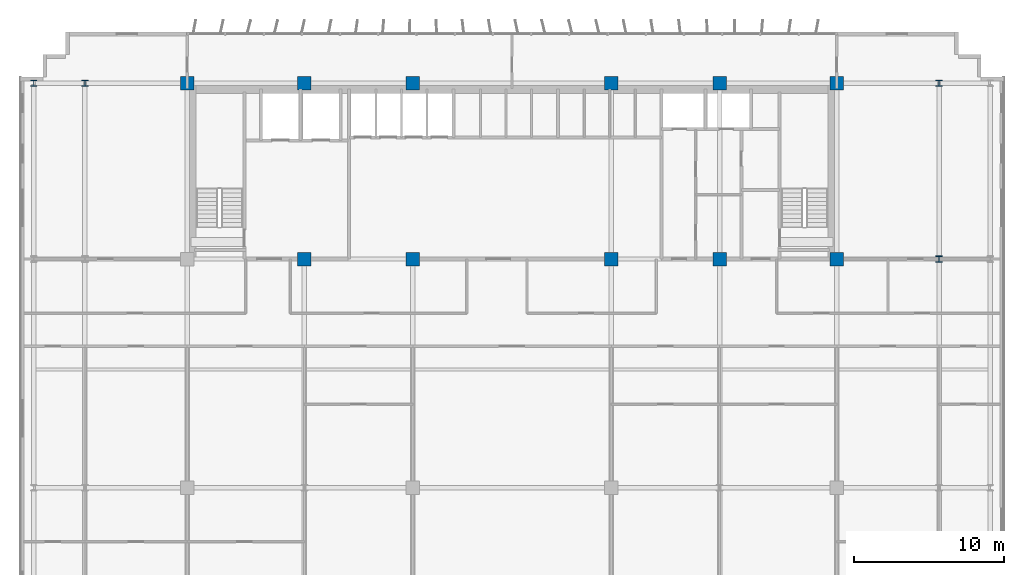
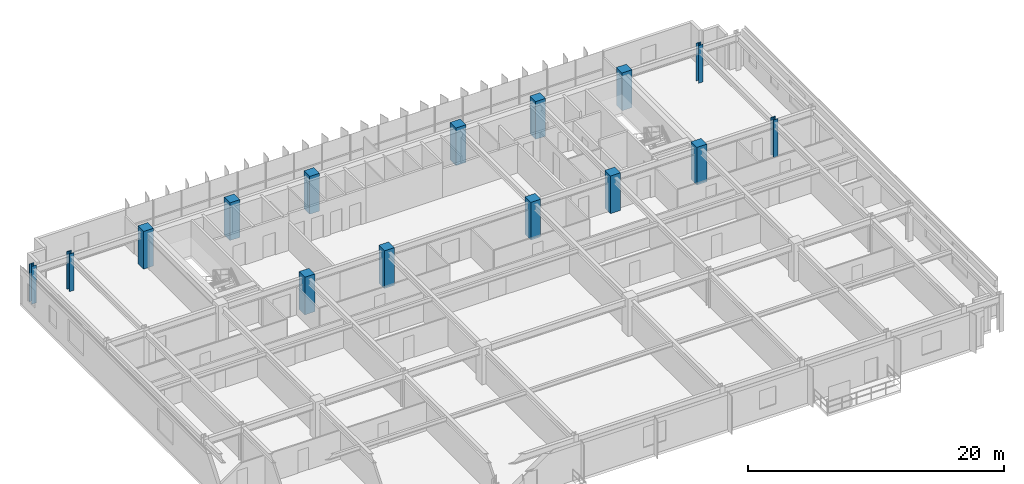
# One storey, part 2 of 21: 15 columns.
"""IFC4 building model written with IfcOpenShell, lengths in metres."""

from ifc_helpers import new_model, si_unit, direction, frame, origin, origin_2d, place, context, subcontext, project, spatial, rectangle, i_section, extrude, source, transform, mapped, material, material_profile, profile_set, type_object, element, save


model = new_model("IFC4")

# Units and contexts
model_context = context("Model", 3, precision=1e-05, world=origin(), true_north=direction((0.0, 1.0)))
body_context = subcontext(model_context, "Body", "Model", "MODEL_VIEW")
ifc_project = project(units=[si_unit("LENGTHUNIT", "METRE"), si_unit("AREAUNIT", "SQUARE_METRE"), si_unit("VOLUMEUNIT", "CUBIC_METRE"), si_unit("PLANEANGLEUNIT", "RADIAN"), si_unit("MASSUNIT", "GRAM", prefix="KILO")], contexts=[model_context])

# Site, building, storey
site_placement = place(None, origin())
site = spatial("IfcSite", under=ifc_project, at=site_placement, CompositionType="ELEMENT")
building_placement = place(site_placement, origin())
building = spatial("IfcBuilding", under=site, at=building_placement, Name="Trelvane Seafront Commons", CompositionType="ELEMENT")
storey_placement = place(building_placement, frame((0.0, 0.0, 37.89990234375)))
storey = spatial("IfcBuildingStorey", under=building, at=storey_placement, Name="L09", CompositionType="ELEMENT", Elevation=37.89990234375)

# Columns
ifc_material_1 = material(Name="Steel SM355 (S355)", Category="steel")
ifc_material_profile_1 = material_profile(ifc_material_1, i_section(OverallWidth=0.419921875, OverallDepth=0.419921875, WebThickness=0.02587890625, FlangeThickness=0.0400390625, at=origin_2d()), Name="HD-420x420x26x40")
ifc_profile_set_1 = profile_set([ifc_material_profile_1], Name="Steel SM355 (S355)")
column_type_1 = type_object("IfcColumnType", Name="STR-COL-HD420", PredefinedType="COLUMN", material=ifc_profile_set_1)
shared_shape_1 = source(origin(), body_context, "Body", "SweptSolid", [
    extrude(i_section(OverallWidth=0.419921875, OverallDepth=0.419921875, WebThickness=0.02587890625, FlangeThickness=0.0400390625, at=origin_2d()), origin(), (0.0, 0.0, 1.0), 3.60009765625),
])
for number, where, z_axis, x_axis, name in (
    (1, (5.39990234375, 45.10009765625, 0.0), (0.0, 0.0, 1.0), (1.0, 0.0, 0.0), "L09 Column TC-CN5.4"),
    (2, (8.800048828125, 45.10009765625, 0.0), (0.0, 0.0, 1.0), (1.0, 0.0, 0.0), "L09 Column TC-CN8.8"),
    (3, (65.60009765625, 33.39990234375, 0.0), (0.0, 0.0, 1.0), (1.0, 0.0, 0.0), "L09 Column TC-CS65.6"),
    (4, (65.60009765625, 45.10009765625, 0.0), (0.0, 0.0, 1.0), (1.0, 0.0, 0.0), "L09 Column TC-CN65.6"),
):
    element("IfcColumn", number, at=place(storey_placement, frame(where, z_axis=z_axis, x_axis=x_axis)), inside=storey, type_object=column_type_1, Name=name, PredefinedType="COLUMN", context=body_context, shape_type="MappedRepresentation", body=[
        mapped(shared_shape_1, transform((0.0, 0.0, 0.0), x_axis=(1.0, 0.0, 0.0), y_axis=(0.0, 1.0, 0.0), z_axis=(0.0, 0.0, 1.0), scale=1.0)),
    ])
ifc_material_2 = material(Name="Concrete C60/75", Category="concrete")
ifc_material_profile_2 = material_profile(ifc_material_2, rectangle(XDim=0.89990234375, YDim=0.89990234375, at=origin_2d()), Name="RC-900x900")
ifc_profile_set_2 = profile_set([ifc_material_profile_2], Name="Concrete C60/75")
column_type_2 = type_object("IfcColumnType", Name="STR-COL-RC900", PredefinedType="COLUMN", material=ifc_profile_set_2)
shared_shape_2 = source(origin(), body_context, "Body", "SweptSolid", [
    extrude(rectangle(XDim=0.89990234375, YDim=0.89990234375, at=origin_2d()), origin(), (0.0, 0.0, 1.0), 3.60009765625),
])
for number, where, z_axis, x_axis, name in (
    (5, (15.60009765625, 45.10009765625, 0.0), (0.0, 0.0, 1.0), (1.0, 0.0, 0.0), "L09 Column TC-CN15.6"),
    (6, (23.39990234375, 33.39990234375, 0.0), (0.0, 0.0, 1.0), (1.0, 0.0, 0.0), "L09 Column TC-CS23.4"),
    (7, (23.39990234375, 45.10009765625, 0.0), (0.0, 0.0, 1.0), (1.0, 0.0, 0.0), "L09 Column TC-CN23.4"),
    (8, (30.60009765625, 33.39990234375, 0.0), (0.0, 0.0, 1.0), (1.0, 0.0, 0.0), "L09 Column TC-CS30.6"),
    (9, (30.60009765625, 45.10009765625, 0.0), (0.0, 0.0, 1.0), (1.0, 0.0, 0.0), "L09 Column TC-CN30.6"),
    (10, (43.800048828125, 33.39990234375, 0.0), (0.0, 0.0, 1.0), (1.0, 0.0, 0.0), "L09 Column TC-CS43.8"),
    (11, (43.800048828125, 45.10009765625, 0.0), (0.0, 0.0, 1.0), (1.0, 0.0, 0.0), "L09 Column TC-CN43.8"),
    (12, (51.0, 33.39990234375, 0.0), (0.0, 0.0, 1.0), (1.0, 0.0, 0.0), "L09 Column TC-CS51.0"),
    (13, (51.0, 45.10009765625, 0.0), (0.0, 0.0, 1.0), (1.0, 0.0, 0.0), "L09 Column TC-CN51.0"),
    (14, (58.800048828125, 33.39990234375, 0.0), (0.0, 0.0, 1.0), (1.0, 0.0, 0.0), "L09 Column TC-CS58.8"),
    (15, (58.800048828125, 45.10009765625, 0.0), (0.0, 0.0, 1.0), (1.0, 0.0, 0.0), "L09 Column TC-CN58.8"),
):
    element("IfcColumn", number, at=place(storey_placement, frame(where, z_axis=z_axis, x_axis=x_axis)), inside=storey, type_object=column_type_2, Name=name, PredefinedType="COLUMN", context=body_context, shape_type="MappedRepresentation", body=[
        mapped(shared_shape_2, transform((0.0, 0.0, 0.0), x_axis=(1.0, 0.0, 0.0), y_axis=(0.0, 1.0, 0.0), z_axis=(0.0, 0.0, 1.0), scale=1.0)),
    ])

save(model, "model.ifc")
